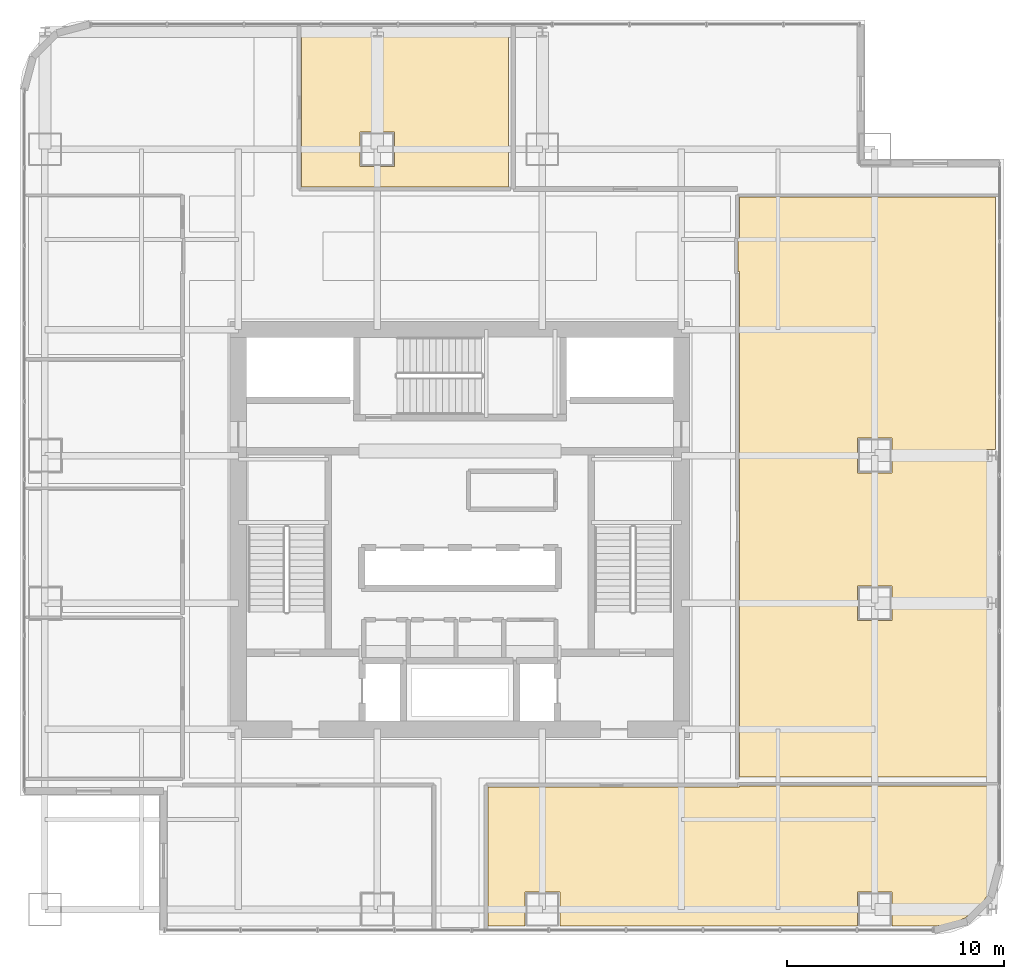
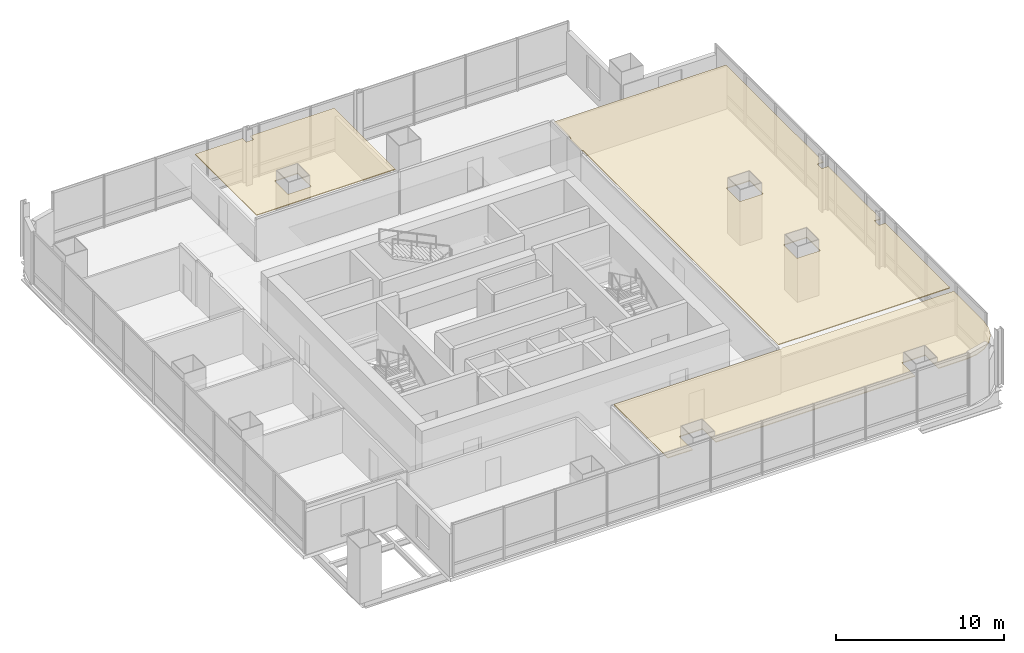
# One storey, part 34 of 34: 3 coverings.
"""IFC4 building model written with IfcOpenShell, lengths in metres."""

from ifc_helpers import new_model, si_unit, direction, frame, origin, place, context, subcontext, project, spatial, polyline, outline, extrude, material, layer, layer_set, type_object, element, save


model = new_model("IFC4")

# Units and contexts
model_context = context("Model", 3, precision=1e-05, world=origin(), true_north=direction((0.0, 1.0)))
body_context = subcontext(model_context, "Body", "Model", "MODEL_VIEW")
ifc_project = project(units=[si_unit("LENGTHUNIT", "METRE"), si_unit("AREAUNIT", "SQUARE_METRE"), si_unit("VOLUMEUNIT", "CUBIC_METRE"), si_unit("PLANEANGLEUNIT", "RADIAN"), si_unit("MASSUNIT", "GRAM", prefix="KILO")], contexts=[model_context])

# Site, building, storey
site_placement = place(None, origin())
site = spatial("IfcSite", under=ifc_project, at=site_placement, CompositionType="ELEMENT")
building_placement = place(site_placement, origin())
building = spatial("IfcBuilding", under=site, at=building_placement, Name="Punatoya Terracotta Tower", CompositionType="ELEMENT")
storey_placement = place(building_placement, frame((0.0, 0.0, 117.300048828125)))
storey = spatial("IfcBuildingStorey", under=building, at=storey_placement, Name="L27", CompositionType="ELEMENT", Elevation=117.300048828125)

# Coverings
ifc_material = material(Name="Acoustic Mineral Fibre Ceiling")
ifc_layer = layer(ifc_material, 0.06005859375)
ifc_layer_set = layer_set([ifc_layer], Name="Acoustic Mineral Fibre Ceiling")
covering_type = type_object("IfcCoveringType", Name="COV-CEIL-60", PredefinedType="CEILING", material=ifc_layer_set)
covering_1_placement = place(storey_placement, frame((0.0, 0.0, 3.199951171875)))
element("IfcCovering", 1, at=covering_1_placement, inside=storey, type_object=covering_type, Name="L27 Cartography Reference Library Acoustic Ceiling", PredefinedType="CEILING", context=body_context, shape_type="SweptSolid", body=[
    extrude(outline(polyline([(3.0, -18.27001953125), (3.0, -16.699951171875), (4.60009765625, -16.699951171875), (4.60009765625, -18.27001953125), (18.300048828125, -18.27001953125), (18.300048828125, -16.699951171875), (19.89990234375, -16.699951171875), (19.89990234375, -18.27001953125), (21.8251953125, -18.27001953125), (22.5791015625, -18.1708984375), (23.25830078125, -17.889404296875), (23.841796875, -17.441650390625), (24.289306640625, -16.8583984375), (24.57080078125, -16.178955078125), (24.669921875, -15.425048828125), (24.669921875, -11.81005859375), (12.8701171875, -11.81005859375), (12.8701171875, -11.8701171875), (1.300048828125, -11.8701171875), (1.300048828125, -18.27001953125), (3.0, -18.27001953125)])), origin(), (0.0, 0.0, 1.0), 0.06005859375),
])
covering_2_placement = place(storey_placement, frame((0.0, 0.0, 3.199951171875)))
element("IfcCovering", 2, at=covering_2_placement, inside=storey, type_object=covering_type, Name="L27 Technical Seminar Room Acoustic Ceiling", PredefinedType="CEILING", context=body_context, shape_type="SweptSolid", body=[
    extrude(outline(polyline([(12.81005859375, 11.8701171875), (12.8701171875, 11.8701171875), (12.8701171875, -11.389892578125), (24.669921875, -11.389892578125), (24.669921875, -3.673095703125), (24.241943359375, -3.673095703125), (24.241943359375, -3.126953125), (24.669921875, -3.126953125), (24.669921875, 3.126953125), (24.241943359375, 3.126953125), (24.241943359375, 3.673095703125), (24.669921875, 3.673095703125), (24.669921875, 15.2900390625), (12.8701171875, 15.2900390625), (12.8701171875, 13.280029296875), (12.81005859375, 13.280029296875), (12.81005859375, 11.8701171875)]), holes=[polyline([(19.89990234375, -2.60009765625), (19.89990234375, -4.199951171875), (18.300048828125, -4.199951171875), (18.300048828125, -2.60009765625), (19.89990234375, -2.60009765625)]), polyline([(19.89990234375, 2.60009765625), (18.300048828125, 2.60009765625), (18.300048828125, 4.199951171875), (19.89990234375, 4.199951171875), (19.89990234375, 2.60009765625)])]), origin(), (0.0, 0.0, 1.0), 0.06005859375),
])
covering_3_placement = place(storey_placement, frame((0.0, 0.0, 3.199951171875)))
element("IfcCovering", 3, at=covering_3_placement, inside=storey, type_object=covering_type, Name="L27 Open-Plan Hydrology Modelling Laboratory Acoustic Ceiling", PredefinedType="CEILING", context=body_context, shape_type="SweptSolid", body=[
    extrude(outline(polyline([(2.239990234375, 23.070068359375), (-3.5419921875, 23.070068359375), (-3.5419921875, 22.626953125), (-4.05810546875, 22.626953125), (-4.05810546875, 23.070068359375), (-7.300048828125, 23.070068359375), (-7.300048828125, 15.77001953125), (2.239990234375, 15.77001953125), (2.239990234375, 23.070068359375)]), holes=[polyline([(-3.0, 18.300048828125), (-3.0, 16.699951171875), (-4.60009765625, 16.699951171875), (-4.60009765625, 18.300048828125), (-3.0, 18.300048828125)])]), origin(), (0.0, 0.0, 1.0), 0.06005859375),
])

save(model, "model.ifc")
